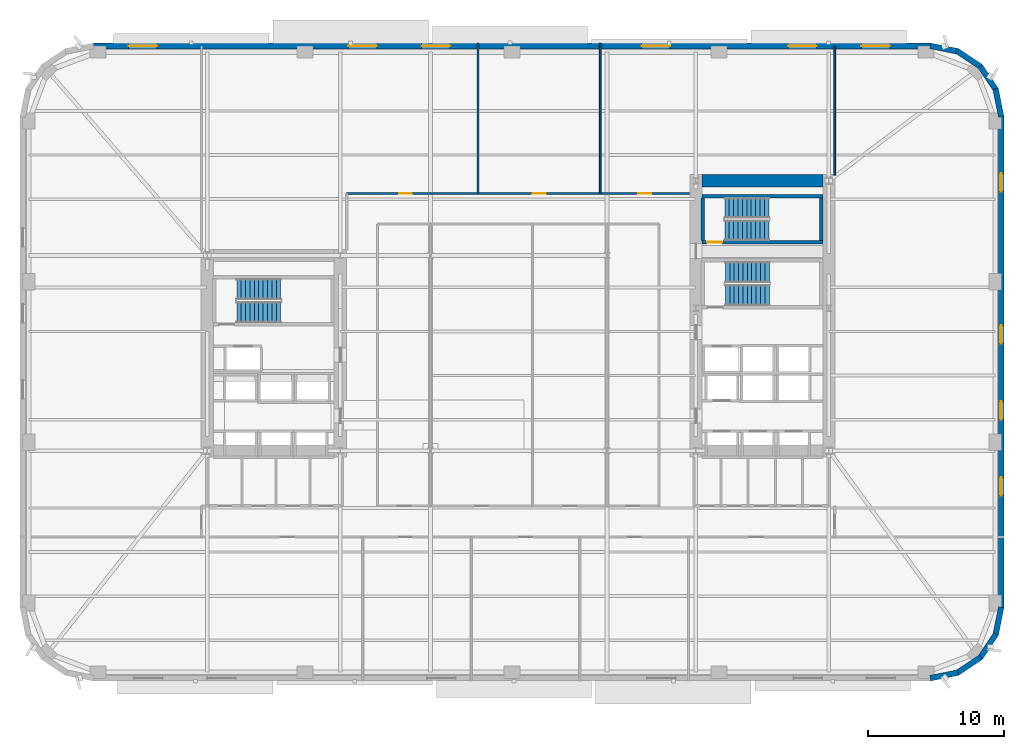
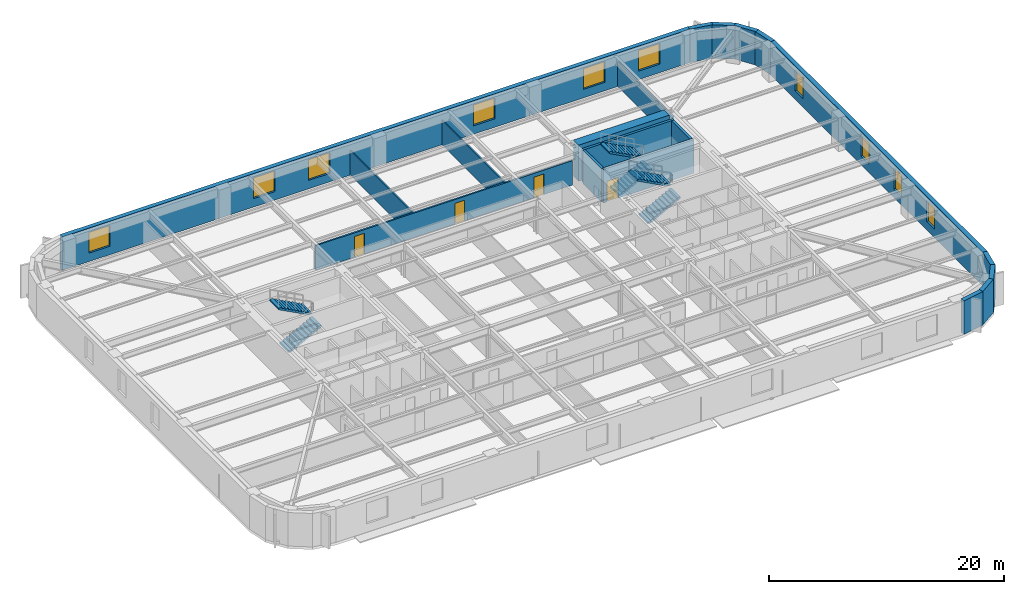
# One storey, part 7 of 15: 19 walls, 10 windows, 6 stair flights, 4 doors, 14 openings, 3 elements without a shape of their own.
"""IFC4 building model written with IfcOpenShell, lengths in metres."""

from ifc_helpers import new_model, si_unit, direction, frame, frame_2d, origin, place, context, subcontext, project, spatial, polyline, rectangle, outline, extrude, material, layer, layer_set, type_object, element, fill, aggregate, save


model = new_model("IFC4")

# Units and contexts
model_context = context("Model", 3, precision=1e-05, world=origin(), true_north=direction((0.0, 1.0)))
body_context = subcontext(model_context, "Body", "Model", "MODEL_VIEW")
ifc_project = project(units=[si_unit("LENGTHUNIT", "METRE"), si_unit("AREAUNIT", "SQUARE_METRE"), si_unit("VOLUMEUNIT", "CUBIC_METRE"), si_unit("PLANEANGLEUNIT", "RADIAN"), si_unit("MASSUNIT", "GRAM", prefix="KILO")], contexts=[model_context])

# Site, building, storey
site_placement = place(None, origin())
site = spatial("IfcSite", under=ifc_project, at=site_placement, CompositionType="ELEMENT")
building_placement = place(site_placement, origin())
building = spatial("IfcBuilding", under=site, at=building_placement, Name="Kolvaren Arena Tower", CompositionType="ELEMENT")
storey_placement = place(building_placement, frame((0.0, 0.0, 49.5)))
storey = spatial("IfcBuildingStorey", under=building, at=storey_placement, Name="L09", CompositionType="ELEMENT", Elevation=49.5)

# Wall, openings, doors
ifc_material_1 = material(Name="Gypsum board acoustic assembly", Category="gypsum")
ifc_layer_1 = layer(ifc_material_1, 0.159912109375)
ifc_layer_set_1 = layer_set([ifc_layer_1], Name="Gypsum board acoustic assembly")
wall_type_1 = type_object("IfcWallType", Name="CORR-160", PredefinedType="PARTITIONING", material=ifc_layer_set_1)
wall_1_placement = place(storey_placement, frame((24.820068359375, 38.419921875, 0.0), z_axis=(0.0, 0.0, 1.0), x_axis=(1.0, 0.0, 0.0)))
wall_1 = element("IfcWall", 1, at=wall_1_placement, inside=storey, type_object=wall_type_1, Name="Interior Partition Wall (L09)", PredefinedType="PARTITIONING", context=body_context, shape_type="SweptSolid", body=[
    extrude(rectangle(XDim=25.260009765625, YDim=0.159912109375, at=frame_2d((12.6298828125, 0.0))), origin(), (0.0, 0.0, 1.0), 2.5400390625),
])
opening_1_placement = place(wall_1_placement, frame((3.85498046875, 0.0, 0.0)))
opening_1 = element("IfcOpeningElement", 2, at=opening_1_placement, cuts=wall_1, Name="Opening D05", PredefinedType="OPENING", context=body_context, shape_type="SweptSolid", body=[
    extrude(rectangle(XDim=0.949951171875, YDim=2.14990234375, at=frame_2d((0.47509765625, 1.074951171875))), frame((0.0, 0.08984375, 0.0), z_axis=(0.0, -1.0, 0.0), x_axis=(1.0, 0.0, 0.0)), (0.0, 0.0, 1.0), 0.179931640625),
])
opening_2_placement = place(wall_1_placement, frame((13.705078125, 0.0, 0.0)))
opening_2 = element("IfcOpeningElement", 3, at=opening_2_placement, cuts=wall_1, Name="Opening D05", PredefinedType="OPENING", context=body_context, shape_type="SweptSolid", body=[
    extrude(rectangle(XDim=0.949951171875, YDim=2.14990234375, at=frame_2d((0.47509765625, 1.074951171875))), frame((0.0, 0.08984375, 0.0), z_axis=(0.0, -1.0, 0.0), x_axis=(1.0, 0.0, 0.0)), (0.0, 0.0, 1.0), 0.179931640625),
])
opening_3_placement = place(wall_1_placement, frame((21.47998046875, 0.0, 0.0)))
opening_3 = element("IfcOpeningElement", 4, at=opening_3_placement, cuts=wall_1, Name="Opening D05", PredefinedType="OPENING", context=body_context, shape_type="SweptSolid", body=[
    extrude(rectangle(XDim=0.949951171875, YDim=2.14990234375, at=frame_2d((0.47509765625, 1.074951171875))), frame((0.0, 0.08984375, 0.0), z_axis=(0.0, -1.0, 0.0), x_axis=(1.0, 0.0, 0.0)), (0.0, 0.0, 1.0), 0.179931640625),
])
ifc_material_2 = material(Name="Solid-core oak acoustic office door", Category="wood")
door_type_1 = type_object("IfcDoorType", Name="DOOR-OF-095", OperationType="NOTDEFINED", PredefinedType="DOOR", material=ifc_material_2)
door_1_placement = place(opening_1_placement, origin())
door_1 = element("IfcDoor", 5, at=door_1_placement, inside=storey, type_object=door_type_1, Name="Breakout Pantry and Kitchen Door (L09)", OperationType="SINGLE_SWING_RIGHT", OverallHeight=2.14990234375, OverallWidth=0.949951171875, PredefinedType="DOOR", context=body_context, shape_type="SweptSolid", body=[
    extrude(rectangle(XDim=0.949951171875, YDim=2.14990234375, at=frame_2d((0.47509765625, 1.074951171875))), frame((0.0, 0.02490234375, 0.0), z_axis=(0.0, -1.0, 0.0), x_axis=(1.0, 0.0, 0.0)), (0.0, 0.0, 1.0), 0.050048828125),
])
fill(opening_1, door_1)
door_2_placement = place(opening_2_placement, origin())
door_2 = element("IfcDoor", 6, at=door_2_placement, inside=storey, type_object=door_type_1, Name="Executive Office Door (L09)", OperationType="SINGLE_SWING_LEFT", OverallHeight=2.14990234375, OverallWidth=0.949951171875, PredefinedType="DOOR", context=body_context, shape_type="SweptSolid", body=[
    extrude(rectangle(XDim=0.949951171875, YDim=2.14990234375, at=frame_2d((0.47509765625, 1.074951171875))), frame((0.0, 0.02490234375, 0.0), z_axis=(0.0, -1.0, 0.0), x_axis=(1.0, 0.0, 0.0)), (0.0, 0.0, 1.0), 0.050048828125),
])
fill(opening_2, door_2)
door_3_placement = place(opening_3_placement, origin())
door_3 = element("IfcDoor", 7, at=door_3_placement, inside=storey, type_object=door_type_1, Name="Executive Office Door (L09)", OperationType="SINGLE_SWING_RIGHT", OverallHeight=2.14990234375, OverallWidth=0.949951171875, PredefinedType="DOOR", context=body_context, shape_type="SweptSolid", body=[
    extrude(rectangle(XDim=0.949951171875, YDim=2.14990234375, at=frame_2d((0.47509765625, 1.074951171875))), frame((0.0, 0.02490234375, 0.0), z_axis=(0.0, -1.0, 0.0), x_axis=(1.0, 0.0, 0.0)), (0.0, 0.0, 1.0), 0.050048828125),
])
fill(opening_3, door_3)

# Walls
ifc_material_3 = material(Name="Concrete 80 MPa", Category="concrete")
ifc_layer_2 = layer(ifc_material_3, 0.89990234375)
ifc_layer_set_2 = layer_set([ifc_layer_2], Name="Concrete 80 MPa")
wall_type_2 = type_object("IfcWallType", Name="CWALL-900", PredefinedType="SHEAR", material=ifc_layer_set_2)
wall_2_placement = place(storey_placement, frame((51.0, 39.35009765625, -0.27001953125), z_axis=(0.0, 0.0, 1.0), x_axis=(1.0, 0.0, 0.0)))
element("IfcWall", 8, at=wall_2_placement, inside=storey, type_object=wall_type_2, Name="Core Shear Wall EC-NORTH (L09)", PredefinedType="SHEAR", context=body_context, shape_type="SweptSolid", body=[
    extrude(rectangle(XDim=8.89990234375, YDim=0.89990234375, at=frame_2d((4.449951171875, 0.0))), origin(), (0.0, 0.0, 1.0), 3.75),
])
ifc_material_4 = material(Name="Precast concrete C50/60", Category="concrete")
ifc_layer_3 = layer(ifc_material_4, 0.419921875)
ifc_layer_set_3 = layer_set([ifc_layer_3], Name="Precast concrete C50/60")
wall_type_3 = type_object("IfcWallType", Name="EXT-PIER1", PredefinedType="SOLIDWALL", material=ifc_layer_set_3)
for number, where, z_axis, x_axis, name in (
    (9, (69.87548828125, 3.1171875, 0.0), (0.0, 0.0, 1.0), (-0.9807762837, -0.195135546048, 0.0), "Exterior Precast Masonry-Frame Wall (L09)"),
    (10, (71.5517578125, 4.256103515625, 0.0), (0.0, 0.0, 1.0), (-0.831515102434, -0.555502146192, 0.0), "Exterior Precast Masonry-Frame Wall (L09)"),
    (11, (72.664306640625, 5.9501953125, 0.0), (0.0, 0.0, 1.0), (-0.555502146192, -0.831515102434, 0.0), "Exterior Precast Masonry-Frame Wall (L09)"),
    (12, (73.0439453125, 7.94091796875, 0.0), (0.0, 0.0, 1.0), (-0.195135546048, -0.9807762837, 0.0), "Exterior Precast Masonry-Frame Wall (L09)"),
):
    element("IfcWall", number, at=place(storey_placement, frame(where, z_axis=z_axis, x_axis=x_axis)), inside=storey, type_object=wall_type_3, Name=name, PredefinedType="SOLIDWALL", context=body_context, shape_type="SweptSolid", body=[
        extrude(rectangle(XDim=2.10693359375, YDim=0.419921875, at=frame_2d((1.053466796875, 0.0))), origin(), (0.0, 0.0, 1.0), 3.47998046875),
    ])

# Wall, openings, windows
wall_3_placement = place(storey_placement, frame((73.0400390625, 44.10009765625, 0.0), z_axis=(0.0, 0.0, 1.0), x_axis=(0.0, -1.0, 0.0)))
wall_3 = element("IfcWall", 13, at=wall_3_placement, inside=storey, type_object=wall_type_3, Name="Exterior Precast Masonry-Frame Wall (L09)", PredefinedType="SOLIDWALL", context=body_context, shape_type="SweptSolid", body=[
    extrude(rectangle(XDim=36.2001953125, YDim=0.419921875, at=frame_2d((18.10009765625, 0.0))), origin(), (0.0, 0.0, 1.0), 3.47998046875),
])
opening_4_placement = place(wall_3_placement, frame((4.199951171875, 0.0, 0.8798828125)))
opening_4 = element("IfcOpeningElement", 14, at=opening_4_placement, cuts=wall_3, Name="Opening W04", PredefinedType="OPENING", context=body_context, shape_type="SweptSolid", body=[
    extrude(rectangle(XDim=1.35009765625, YDim=2.199951171875, at=frame_2d((0.675048828125, 1.10009765625))), frame((0.0, 0.219970703125, 0.0), z_axis=(0.0, -1.0, 0.0), x_axis=(1.0, 0.0, 0.0)), (0.0, 0.0, 1.0), 0.43994140625),
])
opening_5_placement = place(wall_3_placement, frame((15.39990234375, 0.0, 0.8798828125)))
opening_5 = element("IfcOpeningElement", 15, at=opening_5_placement, cuts=wall_3, Name="Opening W04", PredefinedType="OPENING", context=body_context, shape_type="SweptSolid", body=[
    extrude(rectangle(XDim=1.35009765625, YDim=2.199951171875, at=frame_2d((0.675048828125, 1.10009765625))), frame((0.0, 0.219970703125, 0.0), z_axis=(0.0, -1.0, 0.0), x_axis=(1.0, 0.0, 0.0)), (0.0, 0.0, 1.0), 0.43994140625),
])
opening_6_placement = place(wall_3_placement, frame((21.0, 0.0, 0.8798828125)))
opening_6 = element("IfcOpeningElement", 16, at=opening_6_placement, cuts=wall_3, Name="Opening W04", PredefinedType="OPENING", context=body_context, shape_type="SweptSolid", body=[
    extrude(rectangle(XDim=1.35009765625, YDim=2.199951171875, at=frame_2d((0.675048828125, 1.10009765625))), frame((0.0, 0.219970703125, 0.0), z_axis=(0.0, -1.0, 0.0), x_axis=(1.0, 0.0, 0.0)), (0.0, 0.0, 1.0), 0.43994140625),
])
opening_7_placement = place(wall_3_placement, frame((26.60009765625, 0.0, 0.8798828125)))
opening_7 = element("IfcOpeningElement", 17, at=opening_7_placement, cuts=wall_3, Name="Opening W04", PredefinedType="OPENING", context=body_context, shape_type="SweptSolid", body=[
    extrude(rectangle(XDim=1.35009765625, YDim=2.199951171875, at=frame_2d((0.675048828125, 1.10009765625))), frame((0.0, 0.219970703125, 0.0), z_axis=(0.0, -1.0, 0.0), x_axis=(1.0, 0.0, 0.0)), (0.0, 0.0, 1.0), 0.43994140625),
])
ifc_material_5 = material(Name="Triple-glazed curved-facet corner window", Category="glass")
window_type_1 = type_object("IfcWindowType", Name="WIN-CRN-A", PartitioningType="SINGLE_PANEL", PredefinedType="WINDOW", material=ifc_material_5)
window_1_placement = place(opening_4_placement, origin())
window_1 = element("IfcWindow", 18, at=window_1_placement, inside=storey, type_object=window_type_1, Name="End-Wall Punched Window (L09)", OverallHeight=2.199951171875, OverallWidth=1.35009765625, PartitioningType="SINGLE_PANEL", PredefinedType="WINDOW", context=body_context, shape_type="SweptSolid", body=[
    extrude(rectangle(XDim=1.35009765625, YDim=2.199951171875, at=frame_2d((0.675048828125, 1.10009765625))), frame((0.0, 0.030029296875, 0.0), z_axis=(0.0, -1.0, 0.0), x_axis=(1.0, 0.0, 0.0)), (0.0, 0.0, 1.0), 0.06005859375),
])
fill(opening_4, window_1)
window_2_placement = place(opening_5_placement, origin())
window_2 = element("IfcWindow", 19, at=window_2_placement, inside=storey, type_object=window_type_1, Name="End-Wall Punched Window (L09)", OverallHeight=2.199951171875, OverallWidth=1.35009765625, PartitioningType="SINGLE_PANEL", PredefinedType="WINDOW", context=body_context, shape_type="SweptSolid", body=[
    extrude(rectangle(XDim=1.35009765625, YDim=2.199951171875, at=frame_2d((0.675048828125, 1.10009765625))), frame((0.0, 0.030029296875, 0.0), z_axis=(0.0, -1.0, 0.0), x_axis=(1.0, 0.0, 0.0)), (0.0, 0.0, 1.0), 0.06005859375),
])
fill(opening_5, window_2)
window_3_placement = place(opening_6_placement, origin())
window_3 = element("IfcWindow", 20, at=window_3_placement, inside=storey, type_object=window_type_1, Name="End-Wall Punched Window (L09)", OverallHeight=2.199951171875, OverallWidth=1.35009765625, PartitioningType="SINGLE_PANEL", PredefinedType="WINDOW", context=body_context, shape_type="SweptSolid", body=[
    extrude(rectangle(XDim=1.35009765625, YDim=2.199951171875, at=frame_2d((0.675048828125, 1.10009765625))), frame((0.0, 0.030029296875, 0.0), z_axis=(0.0, -1.0, 0.0), x_axis=(1.0, 0.0, 0.0)), (0.0, 0.0, 1.0), 0.06005859375),
])
fill(opening_6, window_3)
window_4_placement = place(opening_7_placement, origin())
window_4 = element("IfcWindow", 21, at=window_4_placement, inside=storey, type_object=window_type_1, Name="End-Wall Punched Window (L09)", OverallHeight=2.199951171875, OverallWidth=1.35009765625, PartitioningType="SINGLE_PANEL", PredefinedType="WINDOW", context=body_context, shape_type="SweptSolid", body=[
    extrude(rectangle(XDim=1.35009765625, YDim=2.199951171875, at=frame_2d((0.675048828125, 1.10009765625))), frame((0.0, 0.030029296875, 0.0), z_axis=(0.0, -1.0, 0.0), x_axis=(1.0, 0.0, 0.0)), (0.0, 0.0, 1.0), 0.06005859375),
])
fill(opening_7, window_4)

# Walls
for number, where, z_axis, x_axis, name in (
    (22, (72.6328125, 46.12548828125, 0.0), (0.0, 0.0, 1.0), (0.195135546048, -0.9807762837, 0.0), "Exterior Precast Masonry-Frame Wall (L09)"),
    (23, (71.493896484375, 47.8017578125, 0.0), (0.0, 0.0, 1.0), (0.555502146192, -0.831515102434, 0.0), "Exterior Precast Masonry-Frame Wall (L09)"),
    (24, (69.7998046875, 48.914306640625, 0.0), (0.0, 0.0, 1.0), (0.831515102434, -0.555502146192, 0.0), "Exterior Precast Masonry-Frame Wall (L09)"),
    (25, (67.80908203125, 49.2939453125, 0.0), (0.0, 0.0, 1.0), (0.9807762837, -0.195135546048, 0.0), "Exterior Precast Masonry-Frame Wall (L09)"),
):
    element("IfcWall", number, at=place(storey_placement, frame(where, z_axis=z_axis, x_axis=x_axis)), inside=storey, type_object=wall_type_3, Name=name, PredefinedType="SOLIDWALL", context=body_context, shape_type="SweptSolid", body=[
        extrude(rectangle(XDim=2.10693359375, YDim=0.419921875, at=frame_2d((1.053466796875, 0.0))), origin(), (0.0, 0.0, 1.0), 3.47998046875),
    ])

# Wall, openings, windows
wall_4_placement = place(storey_placement, frame((6.14990234375, 49.2900390625, 0.0), z_axis=(0.0, 0.0, 1.0), x_axis=(1.0, 0.0, 0.0)))
wall_4 = element("IfcWall", 26, at=wall_4_placement, inside=storey, type_object=wall_type_3, Name="Exterior Precast Masonry-Frame Wall (L09)", PredefinedType="SOLIDWALL", context=body_context, shape_type="SweptSolid", body=[
    extrude(rectangle(XDim=61.7001953125, YDim=0.419921875, at=frame_2d((30.85009765625, 0.0))), origin(), (0.0, 0.0, 1.0), 3.47998046875),
])
opening_8_placement = place(wall_4_placement, frame((2.60009765625, 0.0, 0.8798828125)))
opening_8 = element("IfcOpeningElement", 27, at=opening_8_placement, cuts=wall_4, Name="Opening W01", PredefinedType="OPENING", context=body_context, shape_type="SweptSolid", body=[
    extrude(rectangle(XDim=2.10009765625, YDim=2.14990234375, at=frame_2d((1.050048828125, 1.074951171875))), frame((0.0, 0.219970703125, 0.0), z_axis=(0.0, -1.0, 0.0), x_axis=(1.0, 0.0, 0.0)), (0.0, 0.0, 1.0), 0.43994140625),
])
opening_9_placement = place(wall_4_placement, frame((18.800048828125, 0.0, 0.8798828125)))
opening_9 = element("IfcOpeningElement", 28, at=opening_9_placement, cuts=wall_4, Name="Opening W01", PredefinedType="OPENING", context=body_context, shape_type="SweptSolid", body=[
    extrude(rectangle(XDim=2.10009765625, YDim=2.14990234375, at=frame_2d((1.050048828125, 1.074951171875))), frame((0.0, 0.219970703125, 0.0), z_axis=(0.0, -1.0, 0.0), x_axis=(1.0, 0.0, 0.0)), (0.0, 0.0, 1.0), 0.43994140625),
])
opening_10_placement = place(wall_4_placement, frame((24.199951171875, 0.0, 0.8798828125)))
opening_10 = element("IfcOpeningElement", 29, at=opening_10_placement, cuts=wall_4, Name="Opening W01", PredefinedType="OPENING", context=body_context, shape_type="SweptSolid", body=[
    extrude(rectangle(XDim=2.10009765625, YDim=2.14990234375, at=frame_2d((1.050048828125, 1.074951171875))), frame((0.0, 0.219970703125, 0.0), z_axis=(0.0, -1.0, 0.0), x_axis=(1.0, 0.0, 0.0)), (0.0, 0.0, 1.0), 0.43994140625),
])
opening_11_placement = place(wall_4_placement, frame((40.39990234375, 0.0, 0.8798828125)))
opening_11 = element("IfcOpeningElement", 30, at=opening_11_placement, cuts=wall_4, Name="Opening W01", PredefinedType="OPENING", context=body_context, shape_type="SweptSolid", body=[
    extrude(rectangle(XDim=2.10009765625, YDim=2.14990234375, at=frame_2d((1.050048828125, 1.074951171875))), frame((0.0, 0.219970703125, 0.0), z_axis=(0.0, -1.0, 0.0), x_axis=(1.0, 0.0, 0.0)), (0.0, 0.0, 1.0), 0.43994140625),
])
opening_12_placement = place(wall_4_placement, frame((51.199951171875, 0.0, 0.8798828125)))
opening_12 = element("IfcOpeningElement", 31, at=opening_12_placement, cuts=wall_4, Name="Opening W01", PredefinedType="OPENING", context=body_context, shape_type="SweptSolid", body=[
    extrude(rectangle(XDim=2.10009765625, YDim=2.14990234375, at=frame_2d((1.050048828125, 1.074951171875))), frame((0.0, 0.219970703125, 0.0), z_axis=(0.0, -1.0, 0.0), x_axis=(1.0, 0.0, 0.0)), (0.0, 0.0, 1.0), 0.43994140625),
])
opening_13_placement = place(wall_4_placement, frame((56.60009765625, 0.0, 0.8798828125)))
opening_13 = element("IfcOpeningElement", 32, at=opening_13_placement, cuts=wall_4, Name="Opening W01", PredefinedType="OPENING", context=body_context, shape_type="SweptSolid", body=[
    extrude(rectangle(XDim=2.10009765625, YDim=2.14990234375, at=frame_2d((1.050048828125, 1.074951171875))), frame((0.0, 0.219970703125, 0.0), z_axis=(0.0, -1.0, 0.0), x_axis=(1.0, 0.0, 0.0)), (0.0, 0.0, 1.0), 0.43994140625),
])
ifc_material_6 = material(Name="Triple-glazed low-E aluminium window", Category="aluminium")
window_type_2 = type_object("IfcWindowType", Name="WIN-OFF-A", PartitioningType="DOUBLE_PANEL_VERTICAL", PredefinedType="WINDOW", material=ifc_material_6)
window_5_placement = place(opening_8_placement, origin())
window_5 = element("IfcWindow", 33, at=window_5_placement, inside=storey, type_object=window_type_2, Name="Punched Precast-Pier Window (L09)", OverallHeight=2.14990234375, OverallWidth=2.10009765625, PartitioningType="DOUBLE_PANEL_VERTICAL", PredefinedType="WINDOW", context=body_context, shape_type="SweptSolid", body=[
    extrude(rectangle(XDim=2.10009765625, YDim=2.14990234375, at=frame_2d((1.050048828125, 1.074951171875))), frame((0.0, 0.030029296875, 0.0), z_axis=(0.0, -1.0, 0.0), x_axis=(1.0, 0.0, 0.0)), (0.0, 0.0, 1.0), 0.06005859375),
])
fill(opening_8, window_5)
window_6_placement = place(opening_9_placement, origin())
window_6 = element("IfcWindow", 34, at=window_6_placement, inside=storey, type_object=window_type_2, Name="Punched Precast-Pier Window (L09)", OverallHeight=2.14990234375, OverallWidth=2.10009765625, PartitioningType="DOUBLE_PANEL_VERTICAL", PredefinedType="WINDOW", context=body_context, shape_type="SweptSolid", body=[
    extrude(rectangle(XDim=2.10009765625, YDim=2.14990234375, at=frame_2d((1.050048828125, 1.074951171875))), frame((0.0, 0.030029296875, 0.0), z_axis=(0.0, -1.0, 0.0), x_axis=(1.0, 0.0, 0.0)), (0.0, 0.0, 1.0), 0.06005859375),
])
fill(opening_9, window_6)
window_7_placement = place(opening_10_placement, origin())
window_7 = element("IfcWindow", 35, at=window_7_placement, inside=storey, type_object=window_type_2, Name="Punched Precast-Pier Window (L09)", OverallHeight=2.14990234375, OverallWidth=2.10009765625, PartitioningType="DOUBLE_PANEL_VERTICAL", PredefinedType="WINDOW", context=body_context, shape_type="SweptSolid", body=[
    extrude(rectangle(XDim=2.10009765625, YDim=2.14990234375, at=frame_2d((1.050048828125, 1.074951171875))), frame((0.0, 0.030029296875, 0.0), z_axis=(0.0, -1.0, 0.0), x_axis=(1.0, 0.0, 0.0)), (0.0, 0.0, 1.0), 0.06005859375),
])
fill(opening_10, window_7)
window_8_placement = place(opening_11_placement, origin())
window_8 = element("IfcWindow", 36, at=window_8_placement, inside=storey, type_object=window_type_2, Name="Punched Precast-Pier Window (L09)", OverallHeight=2.14990234375, OverallWidth=2.10009765625, PartitioningType="DOUBLE_PANEL_VERTICAL", PredefinedType="WINDOW", context=body_context, shape_type="SweptSolid", body=[
    extrude(rectangle(XDim=2.10009765625, YDim=2.14990234375, at=frame_2d((1.050048828125, 1.074951171875))), frame((0.0, 0.030029296875, 0.0), z_axis=(0.0, -1.0, 0.0), x_axis=(1.0, 0.0, 0.0)), (0.0, 0.0, 1.0), 0.06005859375),
])
fill(opening_11, window_8)
window_9_placement = place(opening_12_placement, origin())
window_9 = element("IfcWindow", 37, at=window_9_placement, inside=storey, type_object=window_type_2, Name="Punched Precast-Pier Window (L09)", OverallHeight=2.14990234375, OverallWidth=2.10009765625, PartitioningType="DOUBLE_PANEL_VERTICAL", PredefinedType="WINDOW", context=body_context, shape_type="SweptSolid", body=[
    extrude(rectangle(XDim=2.10009765625, YDim=2.14990234375, at=frame_2d((1.050048828125, 1.074951171875))), frame((0.0, 0.030029296875, 0.0), z_axis=(0.0, -1.0, 0.0), x_axis=(1.0, 0.0, 0.0)), (0.0, 0.0, 1.0), 0.06005859375),
])
fill(opening_12, window_9)
window_10_placement = place(opening_13_placement, origin())
window_10 = element("IfcWindow", 38, at=window_10_placement, inside=storey, type_object=window_type_2, Name="Punched Precast-Pier Window (L09)", OverallHeight=2.14990234375, OverallWidth=2.10009765625, PartitioningType="DOUBLE_PANEL_VERTICAL", PredefinedType="WINDOW", context=body_context, shape_type="SweptSolid", body=[
    extrude(rectangle(XDim=2.10009765625, YDim=2.14990234375, at=frame_2d((1.050048828125, 1.074951171875))), frame((0.0, 0.030029296875, 0.0), z_axis=(0.0, -1.0, 0.0), x_axis=(1.0, 0.0, 0.0)), (0.0, 0.0, 1.0), 0.06005859375),
])
fill(opening_13, window_10)

# Walls
ifc_material_7 = material(Name="Gypsum board partition assembly", Category="gypsum")
ifc_layer_4 = layer(ifc_material_7, 0.135009765625)
ifc_layer_set_4 = layer_set([ifc_layer_4], Name="Gypsum board partition assembly")
wall_type_4 = type_object("IfcWallType", Name="PART-135", PredefinedType="PARTITIONING", material=ifc_layer_set_4)
for number, where, z_axis, x_axis, name in (
    (39, (34.5, 38.419921875, 0.0), (0.0, 0.0, 1.0), (0.0, 1.0, 0.0), "Interior Partition Wall (L09)"),
    (40, (43.5, 38.419921875, 0.0), (0.0, 0.0, 1.0), (0.0, 1.0, 0.0), "Interior Partition Wall (L09)"),
):
    element("IfcWall", number, at=place(storey_placement, frame(where, z_axis=z_axis, x_axis=x_axis)), inside=storey, type_object=wall_type_4, Name=name, PredefinedType="PARTITIONING", context=body_context, shape_type="SweptSolid", body=[
        extrude(rectangle(XDim=11.080078125, YDim=0.135009765625, at=frame_2d((5.5400390625, 0.0))), origin(), (0.0, 0.0, 1.0), 2.5400390625),
    ])
wall_5_placement = place(storey_placement, frame((60.780029296875, 39.75, 0.0), z_axis=(0.0, 0.0, 1.0), x_axis=(0.0, 1.0, 0.0)))
element("IfcWall", 41, at=wall_5_placement, inside=storey, type_object=wall_type_4, Name="Interior Partition Wall (L09)", PredefinedType="PARTITIONING", context=body_context, shape_type="SweptSolid", body=[
    extrude(rectangle(XDim=9.510009765625, YDim=0.135009765625, at=frame_2d((4.7548828125, 0.0))), origin(), (0.0, 0.0, 1.0), 2.5400390625),
])

# Wall, opening, door
ifc_material_8 = material(Name="Concrete 45 MPa", Category="concrete")
ifc_layer_5 = layer(ifc_material_8, 0.25)
ifc_layer_set_5 = layer_set([ifc_layer_5], Name="Concrete 45 MPa")
wall_type_5 = type_object("IfcWallType", Name="SHAFT-250", PredefinedType="SOLIDWALL", material=ifc_layer_set_5)
wall_6_placement = place(storey_placement, frame((59.89990234375, 34.830078125, 0.0), z_axis=(0.0, 0.0, 1.0), x_axis=(-1.0, 0.0, 0.0)))
wall_6 = element("IfcWall", 42, at=wall_6_placement, inside=storey, type_object=wall_type_5, Name="Core Shaft Wall (L09)", PredefinedType="SOLIDWALL", context=body_context, shape_type="SweptSolid", body=[
    extrude(rectangle(XDim=8.89990234375, YDim=0.239990234375, at=frame_2d((4.449951171875, 0.0))), origin(), (0.0, 0.0, 1.0), 3.47998046875),
])
opening_14_placement = place(wall_6_placement, frame((7.419921875, 0.0, 0.0)))
opening_14 = element("IfcOpeningElement", 43, at=opening_14_placement, cuts=wall_6, Name="Opening D03", PredefinedType="OPENING", context=body_context, shape_type="SweptSolid", body=[
    extrude(rectangle(XDim=1.10009765625, YDim=2.14990234375, at=frame_2d((0.550048828125, 1.074951171875))), frame((0.0, 0.1298828125, 0.0), z_axis=(0.0, -1.0, 0.0), x_axis=(1.0, 0.0, 0.0)), (0.0, 0.0, 1.0), 0.260009765625),
])
ifc_material_9 = material(Name="Fire-rated steel exit stair door", Category="steel")
door_type_2 = type_object("IfcDoorType", Name="DOOR-ST-110", OperationType="NOTDEFINED", PredefinedType="DOOR", material=ifc_material_9)
door_4_placement = place(opening_14_placement, origin())
door_4 = element("IfcDoor", 44, at=door_4_placement, inside=storey, type_object=door_type_2, Name="Stair ST-E2 Fire Door (L09)", OperationType="SINGLE_SWING_LEFT", OverallHeight=2.14990234375, OverallWidth=1.10009765625, PredefinedType="DOOR", context=body_context, shape_type="SweptSolid", body=[
    extrude(rectangle(XDim=1.10009765625, YDim=2.14990234375, at=frame_2d((0.550048828125, 1.074951171875))), frame((0.0, 0.02490234375, 0.0), z_axis=(0.0, -1.0, 0.0), x_axis=(1.0, 0.0, 0.0)), (0.0, 0.0, 1.0), 0.050048828125),
])
fill(opening_14, door_4)

# Walls
wall_7_placement = place(storey_placement, frame((51.0, 38.219970703125, 0.0), z_axis=(0.0, 0.0, 1.0), x_axis=(1.0, 0.0, 0.0)))
element("IfcWall", 45, at=wall_7_placement, inside=storey, type_object=wall_type_5, Name="Core Shaft Wall (L09)", PredefinedType="SOLIDWALL", context=body_context, shape_type="SweptSolid", body=[
    extrude(rectangle(XDim=8.89990234375, YDim=0.239990234375, at=frame_2d((4.449951171875, 0.0))), origin(), (0.0, 0.0, 1.0), 3.47998046875),
])
for number, where, z_axis, x_axis, name in (
    (46, (51.06005859375, 34.949951171875, 0.0), (0.0, 0.0, 1.0), (0.0, 1.0, 0.0), "Core Shaft Wall (L09)"),
    (47, (59.780029296875, 34.949951171875, 0.0), (0.0, 0.0, 1.0), (0.0, 1.0, 0.0), "Core Shaft Wall (L09)"),
):
    element("IfcWall", number, at=place(storey_placement, frame(where, z_axis=z_axis, x_axis=x_axis)), inside=storey, type_object=wall_type_5, Name=name, PredefinedType="SOLIDWALL", context=body_context, shape_type="SweptSolid", body=[
        extrude(rectangle(XDim=3.150146484375, YDim=0.239990234375, at=frame_2d((1.5751953125, 0.0))), origin(), (0.0, 0.0, 1.0), 3.47998046875),
    ])

# Stair, stair flights
stair_type_1 = type_object("IfcStairType", Name="STAIR-CORE-150", PredefinedType="HALF_TURN_STAIR", material=ifc_material_8)
stair_1_placement = place(storey_placement, origin())
stair_1 = element("IfcStair", 48, at=stair_1_placement, inside=storey, type_object=stair_type_1, Name="L09 ST-E2", PredefinedType="HALF_TURN_STAIR")
stair_flight_type_1 = type_object("IfcStairFlightType", Name="FLT-150", PredefinedType="STRAIGHT", material=ifc_material_8)
stair_flight_1_placement = place(storey_placement, frame((52.679931640625, 35.699951171875, 0.0), z_axis=(0.0, 0.0, 1.0), x_axis=(1.0, 0.0, 0.0)))
stair_flight_1 = element("IfcStairFlight", 49, at=stair_flight_1_placement, type_object=stair_flight_type_1, Name="ST-E2 flight 1", NumberOfRisers=11, NumberOfTreads=10, PredefinedType="STRAIGHT", RiserHeight=0.170454545, TreadLength=0.324, context=body_context, shape_type="SweptSolid", body=[
    extrude(outline(polyline([(0.0, 0.0), (0.0, 0.17041015625), (0.323974609375, 0.17041015625), (0.323974609375, 0.3408203125), (0.64794921875, 0.3408203125), (0.64794921875, 0.511474609375), (0.971923828125, 0.511474609375), (0.971923828125, 0.681884765625), (1.2958984375, 0.681884765625), (1.2958984375, 0.852294921875), (1.6201171875, 0.852294921875), (1.6201171875, 1.022705078125), (1.944091796875, 1.022705078125), (1.944091796875, 1.193115234375), (2.26806640625, 1.193115234375), (2.26806640625, 1.363525390625), (2.592041015625, 1.363525390625), (2.592041015625, 1.5341796875), (2.916015625, 1.5341796875), (2.916015625, 1.70458984375), (3.239990234375, 1.70458984375), (3.239990234375, 1.875), (3.239990234375, 1.53515625), (0.322021484375, 0.0), (0.0, 0.0)])), frame((0.0, 0.75, 0.0), z_axis=(0.0, -1.0, 0.0), x_axis=(1.0, 0.0, 0.0)), (0.0, 0.0, 1.0), 1.5),
])
stair_flight_2_placement = place(storey_placement, frame((55.919921875, 37.35009765625, 1.875), z_axis=(0.0, 0.0, 1.0), x_axis=(-1.0, 0.0, 0.0)))
stair_flight_2 = element("IfcStairFlight", 50, at=stair_flight_2_placement, type_object=stair_flight_type_1, Name="ST-E2 flight 2", NumberOfRisers=11, NumberOfTreads=10, PredefinedType="STRAIGHT", RiserHeight=0.170454545, TreadLength=0.324, context=body_context, shape_type="SweptSolid", body=[
    extrude(outline(polyline([(0.0, 0.0), (0.0, 0.17041015625), (0.323974609375, 0.17041015625), (0.323974609375, 0.3408203125), (0.64794921875, 0.3408203125), (0.64794921875, 0.511474609375), (0.971923828125, 0.511474609375), (0.971923828125, 0.681884765625), (1.2958984375, 0.681884765625), (1.2958984375, 0.852294921875), (1.6201171875, 0.852294921875), (1.6201171875, 1.022705078125), (1.944091796875, 1.022705078125), (1.944091796875, 1.193115234375), (2.26806640625, 1.193115234375), (2.26806640625, 1.363525390625), (2.592041015625, 1.363525390625), (2.592041015625, 1.5341796875), (2.916015625, 1.5341796875), (2.916015625, 1.70458984375), (3.239990234375, 1.70458984375), (3.239990234375, 1.875), (3.239990234375, 1.53515625), (0.322021484375, 0.0), (0.0, 0.0)])), frame((0.0, 0.75, 0.0), z_axis=(0.0, -1.0, 0.0), x_axis=(1.0, 0.0, 0.0)), (0.0, 0.0, 1.0), 1.5),
])
aggregate(stair_1, [stair_flight_1, stair_flight_2])

stair_type_2 = type_object("IfcStairType", Name="STAIR-CORE-165", PredefinedType="HALF_TURN_STAIR", material=ifc_material_8)
stair_2_placement = place(storey_placement, origin())
stair_2 = element("IfcStair", 51, at=stair_2_placement, inside=storey, type_object=stair_type_2, Name="L09 ST-W1", PredefinedType="HALF_TURN_STAIR")
stair_flight_type_2 = type_object("IfcStairFlightType", Name="FLT-165", PredefinedType="STRAIGHT", material=ifc_material_8)
stair_flight_3_placement = place(storey_placement, frame((16.719970703125, 29.669921875, 0.0), z_axis=(0.0, 0.0, 1.0), x_axis=(1.0, 0.0, 0.0)))
stair_flight_3 = element("IfcStairFlight", 52, at=stair_flight_3_placement, type_object=stair_flight_type_2, Name="ST-W1 flight 1", NumberOfRisers=11, NumberOfTreads=10, PredefinedType="STRAIGHT", RiserHeight=0.170454545, TreadLength=0.324, context=body_context, shape_type="SweptSolid", body=[
    extrude(outline(polyline([(0.0, 0.0), (0.0, 0.17041015625), (0.323974609375, 0.17041015625), (0.323974609375, 0.3408203125), (0.64794921875, 0.3408203125), (0.64794921875, 0.511474609375), (0.971923828125, 0.511474609375), (0.971923828125, 0.681884765625), (1.2958984375, 0.681884765625), (1.2958984375, 0.852294921875), (1.6201171875, 0.852294921875), (1.6201171875, 1.022705078125), (1.944091796875, 1.022705078125), (1.944091796875, 1.193115234375), (2.26806640625, 1.193115234375), (2.26806640625, 1.363525390625), (2.592041015625, 1.363525390625), (2.592041015625, 1.5341796875), (2.916015625, 1.5341796875), (2.916015625, 1.70458984375), (3.239990234375, 1.70458984375), (3.239990234375, 1.875), (3.239990234375, 1.53515625), (0.322021484375, 0.0), (0.0, 0.0)])), frame((0.0, 0.77001953125, 0.0), z_axis=(0.0, -1.0, 0.0), x_axis=(1.0, 0.0, 0.0)), (0.0, 0.0, 1.0), 1.5400390625),
])
stair_flight_4_placement = place(storey_placement, frame((19.9599609375, 31.360107421875, 1.875), z_axis=(0.0, 0.0, 1.0), x_axis=(-1.0, 0.0, 0.0)))
stair_flight_4 = element("IfcStairFlight", 53, at=stair_flight_4_placement, type_object=stair_flight_type_2, Name="ST-W1 flight 2", NumberOfRisers=11, NumberOfTreads=10, PredefinedType="STRAIGHT", RiserHeight=0.170454545, TreadLength=0.324, context=body_context, shape_type="SweptSolid", body=[
    extrude(outline(polyline([(0.0, 0.0), (0.0, 0.17041015625), (0.323974609375, 0.17041015625), (0.323974609375, 0.3408203125), (0.64794921875, 0.3408203125), (0.64794921875, 0.511474609375), (0.971923828125, 0.511474609375), (0.971923828125, 0.681884765625), (1.2958984375, 0.681884765625), (1.2958984375, 0.852294921875), (1.6201171875, 0.852294921875), (1.6201171875, 1.022705078125), (1.944091796875, 1.022705078125), (1.944091796875, 1.193115234375), (2.26806640625, 1.193115234375), (2.26806640625, 1.363525390625), (2.592041015625, 1.363525390625), (2.592041015625, 1.5341796875), (2.916015625, 1.5341796875), (2.916015625, 1.70458984375), (3.239990234375, 1.70458984375), (3.239990234375, 1.875), (3.239990234375, 1.53515625), (0.322021484375, 0.0), (0.0, 0.0)])), frame((0.0, 0.77001953125, 0.0), z_axis=(0.0, -1.0, 0.0), x_axis=(1.0, 0.0, 0.0)), (0.0, 0.0, 1.0), 1.5400390625),
])
aggregate(stair_2, [stair_flight_3, stair_flight_4])

stair_3_placement = place(storey_placement, origin())
stair_3 = element("IfcStair", 54, at=stair_3_placement, inside=storey, type_object=stair_type_2, Name="L09 ST-E1", PredefinedType="HALF_TURN_STAIR")
stair_flight_5_placement = place(storey_placement, frame((52.719970703125, 30.919921875, 0.0), z_axis=(0.0, 0.0, 1.0), x_axis=(1.0, 0.0, 0.0)))
stair_flight_5 = element("IfcStairFlight", 55, at=stair_flight_5_placement, type_object=stair_flight_type_2, Name="ST-E1 flight 1", NumberOfRisers=11, NumberOfTreads=10, PredefinedType="STRAIGHT", RiserHeight=0.170454545, TreadLength=0.324, context=body_context, shape_type="SweptSolid", body=[
    extrude(outline(polyline([(0.0, 0.0), (0.0, 0.17041015625), (0.323974609375, 0.17041015625), (0.323974609375, 0.3408203125), (0.64794921875, 0.3408203125), (0.64794921875, 0.511474609375), (0.971923828125, 0.511474609375), (0.971923828125, 0.681884765625), (1.2958984375, 0.681884765625), (1.2958984375, 0.852294921875), (1.6201171875, 0.852294921875), (1.6201171875, 1.022705078125), (1.944091796875, 1.022705078125), (1.944091796875, 1.193115234375), (2.26806640625, 1.193115234375), (2.26806640625, 1.363525390625), (2.592041015625, 1.363525390625), (2.592041015625, 1.5341796875), (2.916015625, 1.5341796875), (2.916015625, 1.70458984375), (3.239990234375, 1.70458984375), (3.239990234375, 1.875), (3.239990234375, 1.53515625), (0.322021484375, 0.0), (0.0, 0.0)])), frame((0.0, 0.77001953125, 0.0), z_axis=(0.0, -1.0, 0.0), x_axis=(1.0, 0.0, 0.0)), (0.0, 0.0, 1.0), 1.5400390625),
])
stair_flight_6_placement = place(storey_placement, frame((55.9599609375, 32.610107421875, 1.875), z_axis=(0.0, 0.0, 1.0), x_axis=(-1.0, 0.0, 0.0)))
stair_flight_6 = element("IfcStairFlight", 56, at=stair_flight_6_placement, type_object=stair_flight_type_2, Name="ST-E1 flight 2", NumberOfRisers=11, NumberOfTreads=10, PredefinedType="STRAIGHT", RiserHeight=0.170454545, TreadLength=0.324, context=body_context, shape_type="SweptSolid", body=[
    extrude(outline(polyline([(0.0, 0.0), (0.0, 0.17041015625), (0.323974609375, 0.17041015625), (0.323974609375, 0.3408203125), (0.64794921875, 0.3408203125), (0.64794921875, 0.511474609375), (0.971923828125, 0.511474609375), (0.971923828125, 0.681884765625), (1.2958984375, 0.681884765625), (1.2958984375, 0.852294921875), (1.6201171875, 0.852294921875), (1.6201171875, 1.022705078125), (1.944091796875, 1.022705078125), (1.944091796875, 1.193115234375), (2.26806640625, 1.193115234375), (2.26806640625, 1.363525390625), (2.592041015625, 1.363525390625), (2.592041015625, 1.5341796875), (2.916015625, 1.5341796875), (2.916015625, 1.70458984375), (3.239990234375, 1.70458984375), (3.239990234375, 1.875), (3.239990234375, 1.53515625), (0.322021484375, 0.0), (0.0, 0.0)])), frame((0.0, 0.77001953125, 0.0), z_axis=(0.0, -1.0, 0.0), x_axis=(1.0, 0.0, 0.0)), (0.0, 0.0, 1.0), 1.5400390625),
])
aggregate(stair_3, [stair_flight_5, stair_flight_6])

save(model, "model.ifc")
